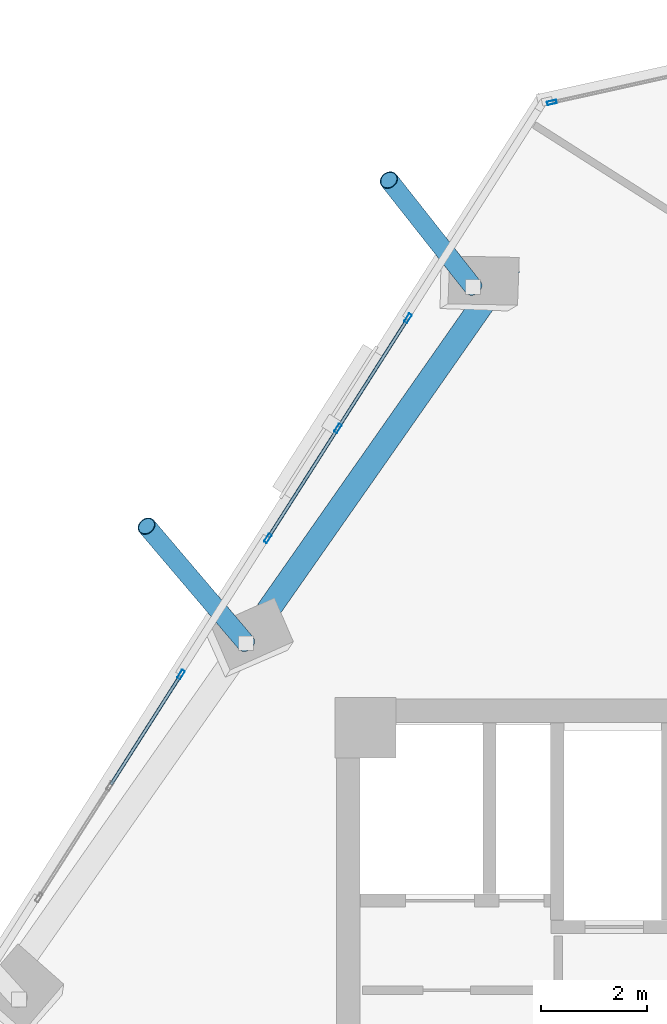
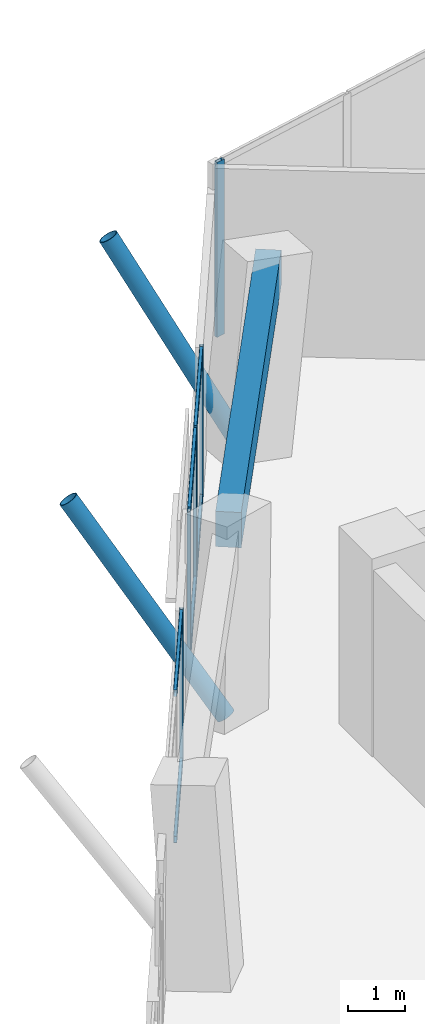
# One storey, part 12 of 24: 13 members, 1 beam, 3 elements without a shape of their own.
"""IFC4 building model written with IfcOpenShell, lengths in metres."""

from ifc_helpers import new_model, si_unit, direction, frame, origin, origin_2d, place, context, subcontext, project, spatial, rectangle, hollow_rectangle, hollow_circle, extrude, source, transform, mapped, material, material_profile, profile_set, type_object, element, aggregate, save


model = new_model("IFC4")

# Units and contexts
model_context = context("Model", 3, precision=1e-05, world=origin(), true_north=direction((0.0, 1.0)))
body_context = subcontext(model_context, "Body", "Model", "MODEL_VIEW")
ifc_project = project(units=[si_unit("LENGTHUNIT", "METRE"), si_unit("AREAUNIT", "SQUARE_METRE"), si_unit("VOLUMEUNIT", "CUBIC_METRE"), si_unit("PLANEANGLEUNIT", "RADIAN"), si_unit("MASSUNIT", "GRAM", prefix="KILO")], contexts=[model_context])

# Site, building, storey
site_placement = place(None, origin())
site = spatial("IfcSite", under=ifc_project, at=site_placement, CompositionType="ELEMENT")
building_placement = place(site_placement, origin())
building = spatial("IfcBuilding", under=site, at=building_placement, Name="Torre Montelarca", CompositionType="ELEMENT")
storey_placement = place(building_placement, frame((0.0, 0.0, 191.800048828125)))
storey = spatial("IfcBuildingStorey", under=building, at=storey_placement, Name="L43", CompositionType="ELEMENT", Elevation=191.800048828125)

# Members
ifc_material_1 = material(Name="Steel ASTM A500 Grade C", Category="steel")
ifc_material_profile_1 = material_profile(ifc_material_1, hollow_circle(Radius=0.177734375, WallThickness=0.015869140625, at=origin_2d()), Name="HSS355.6X15.9", Category="steel")
ifc_profile_set_1 = profile_set([ifc_material_profile_1], Name="Steel ASTM A500 Grade C")
member_type_1 = type_object("IfcMemberType", Name="MB-BR-CHS356-EXT", PredefinedType="BRACE", material=ifc_profile_set_1)
shared_shape_1 = source(origin(), body_context, "Body", "SweptSolid", [
    extrude(hollow_circle(Radius=0.177734375, WallThickness=0.015869140625, at=origin_2d()), origin(), (0.0, 0.0, 1.0), 4.874267578125),
])
member_1_placement = place(storey_placement, frame((7.288818359375, 41.053466796875, 0.14990234375), z_axis=(-0.386723087047, 0.454891733786, 0.802196213204), x_axis=(-0.761885499148, -0.647711730778, 0.0)))
element("IfcMember", 1, at=member_1_placement, inside=storey, type_object=member_type_1, Name="L44 Sliding Tray Exterior Diagonal Raker Strut W2", PredefinedType="BRACE", context=body_context, shape_type="MappedRepresentation", body=[
    mapped(shared_shape_1, transform((0.0, 0.0, 0.0), scale=1.0)),
])
shared_shape_2 = source(origin(), body_context, "Body", "SweptSolid", [
    extrude(hollow_circle(Radius=0.177734375, WallThickness=0.015869140625, at=origin_2d()), origin(), (0.0, 0.0, 1.0), 4.682861328125),
])
member_2_placement = place(storey_placement, frame((11.58740234375, 47.800537109375, 0.14990234375), z_axis=(-0.340656270179, 0.432102719198, 0.83500930872), x_axis=(-0.785304601807, -0.619109588345, 0.0)))
element("IfcMember", 2, at=member_2_placement, inside=storey, type_object=member_type_1, Name="L44 Sliding Tray Exterior Diagonal Raker Strut W3", PredefinedType="BRACE", context=body_context, shape_type="MappedRepresentation", body=[
    mapped(shared_shape_2, transform((0.0, 0.0, 0.0), scale=1.0)),
])

# Beam
ifc_material_2 = material(Name="Concrete C55/67", Category="concrete")
ifc_material_profile_2 = material_profile(ifc_material_2, rectangle(XDim=0.449951171875, YDim=0.75, at=origin_2d()), Name="RCB450X750", Category="concrete")
ifc_profile_set_2 = profile_set([ifc_material_profile_2], Name="Concrete C55/67")
beam_type = type_object("IfcBeamType", Name="BM-SP-RC750-EXT", PredefinedType="SPANDREL", material=ifc_profile_set_2)
shared_shape_3 = source(origin(), body_context, "Body", "SweptSolid", [
    extrude(rectangle(XDim=0.449951171875, YDim=0.75, at=origin_2d()), origin(), (0.0, 0.0, 1.0), 8.0),
])
beam_placement = place(storey_placement, frame((7.697265625, 41.664794921875, 3.5849609375), z_axis=(0.573577035512, 0.819151624752, 0.0), x_axis=(-0.819151624752, 0.573577035512, 0.0)))
element("IfcBeam", 3, at=beam_placement, inside=storey, type_object=beam_type, Name="L43 Grid Girder Y 32.0-40.0 at X=4.7", PredefinedType="SPANDREL", context=body_context, shape_type="MappedRepresentation", body=[
    mapped(shared_shape_3, transform((0.0, 0.0, 0.0), scale=1.0)),
])

# Curtain wall, member
ifc_material_3 = material(Name="Insulated low-E laminated glass", Category="glass")
curtain_wall_type = type_object("IfcCurtainWallType", Name="CW-SYS-Z2", PredefinedType="USERDEFINED", material=ifc_material_3)
curtain_wall_1_placement = place(storey_placement, origin())
curtain_wall_1 = element("IfcCurtainWall", 4, at=curtain_wall_1_placement, inside=storey, type_object=curtain_wall_type, Name="L43 Curtain Wall Run CW-T3-L43-E09-B1", ObjectType="UNITISED GLAZING", PredefinedType="USERDEFINED")
ifc_material_4 = material(Name="Anodised aluminium AA 6063-T6", Category="aluminium")
ifc_material_profile_3 = material_profile(ifc_material_4, hollow_rectangle(XDim=0.06494140625, YDim=0.179931640625, WallThickness=0.00390625, InnerFilletRadius=0.00390625, OuterFilletRadius=0.008056640625, at=origin_2d()), Name="ALU65X180X4", Category="aluminium")
ifc_profile_set_3 = profile_set([ifc_material_profile_3], Name="Anodised aluminium AA 6063-T6")
member_type_2 = type_object("IfcMemberType", Name="CWM-ALU180", PredefinedType="MULLION", material=ifc_profile_set_3)
shared_shape_4 = source(origin(), body_context, "Body", "SweptSolid", [
    extrude(hollow_rectangle(XDim=0.06494140625, YDim=0.179931640625, WallThickness=0.00390625, InnerFilletRadius=0.00390625, OuterFilletRadius=0.008056640625, at=origin_2d()), origin(), (0.0, 0.0, 1.0), 3.719970703125),
])
member_3_placement = place(storey_placement, frame((13.080078125, 51.2939453125, 0.0), z_axis=(0.0, 0.0, 1.0), x_axis=(0.216447743923, -0.97629420471, 0.0)))
member_3 = element("IfcMember", 5, at=member_3_placement, type_object=member_type_2, Name="CW mullion 3", PredefinedType="MULLION", context=body_context, shape_type="MappedRepresentation", body=[
    mapped(shared_shape_4, transform((0.0, 0.0, 0.0), scale=1.0)),
])
aggregate(curtain_wall_1, [member_3])

# Curtain wall, members
curtain_wall_2_placement = place(storey_placement, origin())
curtain_wall_2 = element("IfcCurtainWall", 6, at=curtain_wall_2_placement, inside=storey, type_object=curtain_wall_type, Name="L43 Curtain Wall Run CW-T3-L43-E10-B1", ObjectType="UNITISED GLAZING", PredefinedType="USERDEFINED")
shared_shape_5 = source(origin(), body_context, "Body", "SweptSolid", [
    extrude(hollow_rectangle(XDim=0.06494140625, YDim=0.179931640625, WallThickness=0.00390625, InnerFilletRadius=0.00390625, OuterFilletRadius=0.008056640625, at=origin_2d()), origin(), (0.0, 0.0, 1.0), 3.175048828125),
])
member_4_placement = place(storey_placement, frame((10.35546875, 47.20703125, 0.0), z_axis=(0.0, 0.0, 1.0), x_axis=(0.843385766831, -0.537308522458, 0.0)))
member_4 = element("IfcMember", 7, at=member_4_placement, type_object=member_type_2, Name="CW mullion 1", PredefinedType="MULLION", context=body_context, shape_type="MappedRepresentation", body=[
    mapped(shared_shape_5, transform((0.0, 0.0, 0.0), scale=1.0)),
])
member_5_placement = place(storey_placement, frame((9.0283203125, 45.123779296875, 0.0), z_axis=(0.0, 0.0, 1.0), x_axis=(0.843385766831, -0.537308522458, 0.0)))
member_5 = element("IfcMember", 8, at=member_5_placement, type_object=member_type_2, Name="CW mullion 2", PredefinedType="MULLION", context=body_context, shape_type="MappedRepresentation", body=[
    mapped(shared_shape_5, transform((0.0, 0.0, 0.0), scale=1.0)),
])
member_6_placement = place(storey_placement, frame((7.701171875, 43.040771484375, 0.0), z_axis=(0.0, 0.0, 1.0), x_axis=(0.843385766831, -0.537308522458, 0.0)))
member_6 = element("IfcMember", 9, at=member_6_placement, type_object=member_type_2, Name="CW mullion 3", PredefinedType="MULLION", context=body_context, shape_type="MappedRepresentation", body=[
    mapped(shared_shape_5, transform((0.0, 0.0, 0.0), scale=1.0)),
])

# Curtain wall, member
curtain_wall_3_placement = place(storey_placement, origin())
curtain_wall_3 = element("IfcCurtainWall", 10, at=curtain_wall_3_placement, inside=storey, type_object=curtain_wall_type, Name="L43 Curtain Wall Run CW-T3-L43-E10-B2", ObjectType="UNITISED GLAZING", PredefinedType="USERDEFINED")
member_7_placement = place(storey_placement, frame((6.05712890625, 40.4599609375, 0.0), z_axis=(0.0, 0.0, 1.0), x_axis=(0.843390246522, -0.537301490851, 0.0)))
member_7 = element("IfcMember", 11, at=member_7_placement, type_object=member_type_2, Name="CW mullion 1", PredefinedType="MULLION", context=body_context, shape_type="MappedRepresentation", body=[
    mapped(shared_shape_5, transform((0.0, 0.0, 0.0), scale=1.0)),
])

# Member
ifc_material_profile_4 = material_profile(ifc_material_4, hollow_rectangle(XDim=0.06494140625, YDim=0.139892578125, WallThickness=0.00390625, InnerFilletRadius=0.00390625, OuterFilletRadius=0.008056640625, at=origin_2d()), Name="ALU65X140X4", Category="aluminium")
ifc_profile_set_4 = profile_set([ifc_material_profile_4], Name="Anodised aluminium AA 6063-T6")
member_type_3 = type_object("IfcMemberType", Name="CWT-ALU140", PredefinedType="USERDEFINED", material=ifc_profile_set_4)
shared_shape_6 = source(origin(), body_context, "Body", "SweptSolid", [
    extrude(hollow_rectangle(XDim=0.06494140625, YDim=0.139892578125, WallThickness=0.00390625, InnerFilletRadius=0.00390625, OuterFilletRadius=0.008056640625, at=origin_2d()), origin(), (0.0, 0.0, 1.0), 2.405029296875),
])
member_8_placement = place(storey_placement, frame((10.337890625, 47.1796875, 0.032470703125), z_axis=(-0.53731551376, -0.843381312737, 0.0), x_axis=(0.843381312737, -0.53731551376, 0.0)))
member_8 = element("IfcMember", 12, at=member_8_placement, type_object=member_type_3, Name="CW transom 1.1", ObjectType="TRANSOM", PredefinedType="USERDEFINED", context=body_context, shape_type="MappedRepresentation", body=[
    mapped(shared_shape_6, transform((0.0, 0.0, 0.0), scale=1.0)),
])

member_9_placement = place(storey_placement, frame((10.337890625, 47.1796875, 3.142333984375), z_axis=(-0.53731551376, -0.843381312737, 0.0), x_axis=(0.843381312737, -0.53731551376, 0.0)))
member_9 = element("IfcMember", 13, at=member_9_placement, type_object=member_type_3, Name="CW transom 1.2", ObjectType="TRANSOM", PredefinedType="USERDEFINED", context=body_context, shape_type="MappedRepresentation", body=[
    mapped(shared_shape_6, transform((0.0, 0.0, 0.0), scale=1.0)),
])

member_10_placement = place(storey_placement, frame((9.0107421875, 45.096435546875, 0.032470703125), z_axis=(-0.53731551376, -0.843381312737, 0.0), x_axis=(0.843381312737, -0.53731551376, 0.0)))
member_10 = element("IfcMember", 14, at=member_10_placement, type_object=member_type_3, Name="CW transom 2.1", ObjectType="TRANSOM", PredefinedType="USERDEFINED", context=body_context, shape_type="MappedRepresentation", body=[
    mapped(shared_shape_6, transform((0.0, 0.0, 0.0), scale=1.0)),
])

member_11_placement = place(storey_placement, frame((9.0107421875, 45.096435546875, 3.142333984375), z_axis=(-0.53731551376, -0.843381312737, 0.0), x_axis=(0.843381312737, -0.53731551376, 0.0)))
member_11 = element("IfcMember", 15, at=member_11_placement, type_object=member_type_3, Name="CW transom 2.2", ObjectType="TRANSOM", PredefinedType="USERDEFINED", context=body_context, shape_type="MappedRepresentation", body=[
    mapped(shared_shape_6, transform((0.0, 0.0, 0.0), scale=1.0)),
])

aggregate(curtain_wall_2, [member_4, member_5, member_6, member_8, member_9, member_10, member_11])

shared_shape_7 = source(origin(), body_context, "Body", "SweptSolid", [
    extrude(hollow_rectangle(XDim=0.06494140625, YDim=0.139892578125, WallThickness=0.00390625, InnerFilletRadius=0.00390625, OuterFilletRadius=0.008056640625, at=origin_2d()), origin(), (0.0, 0.0, 1.0), 2.4384765625),
])
member_12_placement = place(storey_placement, frame((6.03955078125, 40.432373046875, 0.032470703125), z_axis=(-0.537322405196, -0.843376922185, 0.0), x_axis=(0.843376922185, -0.537322405196, 0.0)))
member_12 = element("IfcMember", 16, at=member_12_placement, type_object=member_type_3, Name="CW transom 1.1", ObjectType="TRANSOM", PredefinedType="USERDEFINED", context=body_context, shape_type="MappedRepresentation", body=[
    mapped(shared_shape_7, transform((0.0, 0.0, 0.0), scale=1.0)),
])

member_13_placement = place(storey_placement, frame((6.03955078125, 40.432373046875, 3.142333984375), z_axis=(-0.537322405196, -0.843376922185, 0.0), x_axis=(0.843376922185, -0.537322405196, 0.0)))
member_13 = element("IfcMember", 17, at=member_13_placement, type_object=member_type_3, Name="CW transom 1.2", ObjectType="TRANSOM", PredefinedType="USERDEFINED", context=body_context, shape_type="MappedRepresentation", body=[
    mapped(shared_shape_7, transform((0.0, 0.0, 0.0), scale=1.0)),
])

aggregate(curtain_wall_3, [member_7, member_12, member_13])

save(model, "model.ifc")
